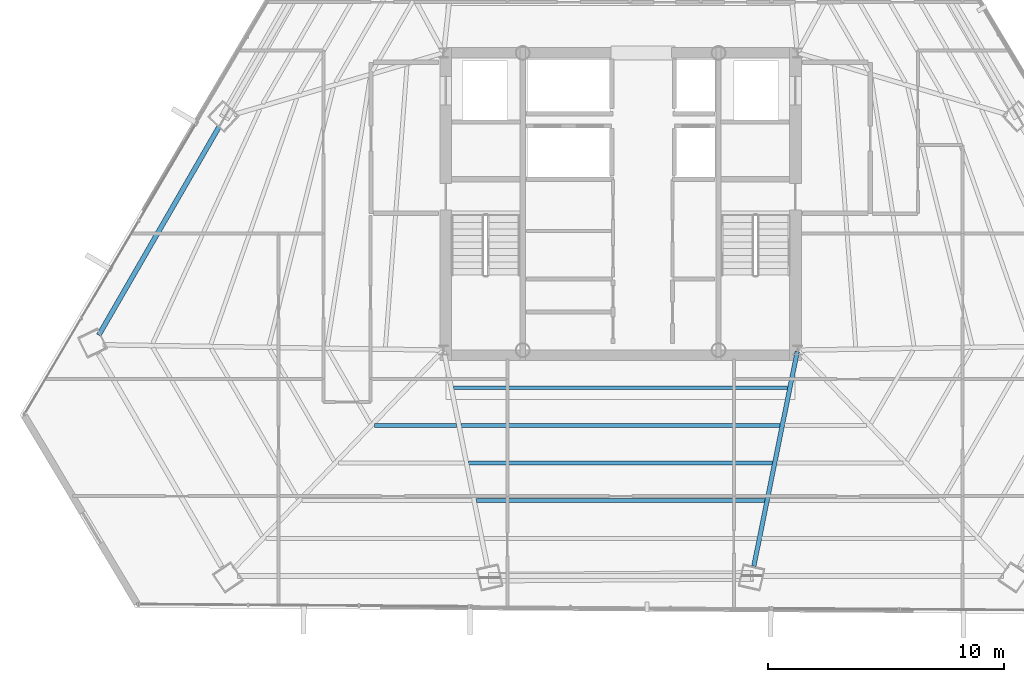
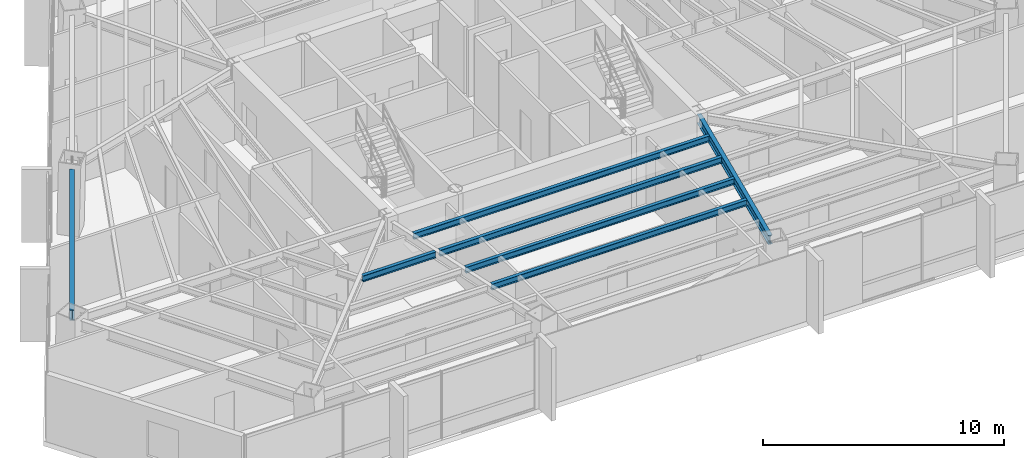
# One storey, part 10 of 40: 7 beams.
"""IFC4 building model written with IfcOpenShell, lengths in metres."""

from ifc_helpers import new_model, si_unit, direction, frame, origin, origin_2d, place, context, subcontext, project, spatial, i_section, extrude, source, transform, mapped, material, material_profile, profile_set, type_object, type_shapes, element, save


model = new_model("IFC4")

# Units and contexts
model_context = context("Model", 3, precision=1e-05, world=origin(), true_north=direction((0.0, 1.0)))
body_context = subcontext(model_context, "Body", "Model", "MODEL_VIEW")
ifc_project = project(units=[si_unit("LENGTHUNIT", "METRE"), si_unit("AREAUNIT", "SQUARE_METRE"), si_unit("VOLUMEUNIT", "CUBIC_METRE"), si_unit("PLANEANGLEUNIT", "RADIAN"), si_unit("MASSUNIT", "GRAM", prefix="KILO")], contexts=[model_context])

# Site, building, storey
site_placement = place(None, origin())
site = spatial("IfcSite", under=ifc_project, at=site_placement, CompositionType="ELEMENT")
building_placement = place(site_placement, origin())
building = spatial("IfcBuilding", under=site, at=building_placement, Name="Caelisora Broadcast Tower", CompositionType="ELEMENT")
storey_placement = place(building_placement, frame((0.0, 0.0, 176.75)))
storey = spatial("IfcBuildingStorey", under=building, at=storey_placement, Name="L46", CompositionType="ELEMENT", Elevation=176.75)

# Beams
ifc_material = material(Name="Steel Grade 350 (AS/NZS 3679.1)", Category="steel")
ifc_material_profile_1 = material_profile(ifc_material, i_section(OverallWidth=0.208984375, OverallDepth=0.532958984375, WebThickness=0.01025390625, FlangeThickness=0.015625, at=origin_2d()), Name="Steel Grade 350 (AS/NZS 3679.1)")
ifc_profile_set_1 = profile_set([ifc_material_profile_1], Name="Steel Grade 350 (AS/NZS 3679.1)")
beam_type_1 = type_object("IfcBeamType", Name="PG05", PredefinedType="BEAM", material=ifc_profile_set_1)
shared_shape_1 = source(origin(), body_context, "Body", "SweptSolid", [
    extrude(i_section(OverallWidth=0.208984375, OverallDepth=0.532958984375, WebThickness=0.01025390625, FlangeThickness=0.015625, at=origin_2d()), origin(), (0.0, 0.0, 1.0), 10.20654296875),
])
type_shapes(beam_type_1, [shared_shape_1])
beam_1_placement = place(storey_placement, frame((20.981689453125, 26.8701171875, 3.133544921875), z_axis=(-0.500000601062, -0.866025056761, 0.0), x_axis=(0.866025056761, -0.500000601062, 0.0)))
element("IfcBeam", 1, at=beam_1_placement, inside=storey, type_object=beam_type_1, Name="L46 beam PG05", PredefinedType="BEAM", context=body_context, shape_type="MappedRepresentation", body=[
    mapped(shared_shape_1, transform((0.0, 0.0, 0.0), scale=1.0)),
])
ifc_material_profile_2 = material_profile(ifc_material, i_section(OverallWidth=0.19091796875, OverallDepth=0.46044921875, WebThickness=0.010009765625, FlangeThickness=0.01611328125, at=origin_2d()), Name="Steel Grade 350 (AS/NZS 3679.1)")
ifc_profile_set_2 = profile_set([ifc_material_profile_2], Name="Steel Grade 350 (AS/NZS 3679.1)")
beam_type_2 = type_object("IfcBeamType", Name="PG06", PredefinedType="BEAM", material=ifc_profile_set_2)
shared_shape_2 = source(origin(), body_context, "Body", "SweptSolid", [
    extrude(i_section(OverallWidth=0.19091796875, OverallDepth=0.46044921875, WebThickness=0.010009765625, FlangeThickness=0.01611328125, at=origin_2d()), origin(), (0.0, 0.0, 1.0), 9.287353515625),
])
type_shapes(beam_type_2, [shared_shape_2])
beam_2_placement = place(storey_placement, frame((45.488037109375, 17.34130859375, 3.169921875), z_axis=(-0.198259095627, -0.980149647248, 0.0), x_axis=(0.980149647248, -0.198259095627, 0.0)))
element("IfcBeam", 2, at=beam_2_placement, inside=storey, type_object=beam_type_2, Name="L46 beam PG06", PredefinedType="BEAM", context=body_context, shape_type="MappedRepresentation", body=[
    mapped(shared_shape_2, transform((0.0, 0.0, 0.0), scale=1.0)),
])
ifc_material_profile_3 = material_profile(ifc_material, i_section(OverallWidth=0.166015625, OverallDepth=0.30712890625, WebThickness=0.006591796875, FlangeThickness=0.01171875, at=origin_2d()), Name="Steel Grade 350 (AS/NZS 3679.1)")
ifc_profile_set_3 = profile_set([ifc_material_profile_3], Name="Steel Grade 350 (AS/NZS 3679.1)")
beam_type_3 = type_object("IfcBeamType", Name="SB03", PredefinedType="JOIST", material=ifc_profile_set_3)
shared_shape_3 = source(origin(), body_context, "Body", "SweptSolid", [
    extrude(i_section(OverallWidth=0.166015625, OverallDepth=0.30712890625, WebThickness=0.006591796875, FlangeThickness=0.01171875, at=origin_2d()), origin(), (0.0, 0.0, 1.0), 3.485107421875),
])
beam_3_placement = place(storey_placement, frame((27.56591796875, 14.208984375, 3.246337890625), z_axis=(1.0, 0.0, 0.0), x_axis=(0.0, 1.0, 0.0)))
element("IfcBeam", 3, at=beam_3_placement, inside=storey, type_object=beam_type_3, Name="L46 beam SB03", PredefinedType="JOIST", context=body_context, shape_type="MappedRepresentation", body=[
    mapped(shared_shape_3, transform((0.0, 0.0, 0.0), scale=1.0)),
])
shared_shape_4 = source(origin(), body_context, "Body", "SweptSolid", [
    extrude(i_section(OverallWidth=0.166015625, OverallDepth=0.30712890625, WebThickness=0.006591796875, FlangeThickness=0.01171875, at=origin_2d()), origin(), (0.0, 0.0, 1.0), 14.16552734375),
])
beam_4_placement = place(storey_placement, frame((30.917236328125, 15.804443359375, 3.246337890625), z_axis=(1.0, 0.0, 0.0), x_axis=(0.0, 1.0, 0.0)))
element("IfcBeam", 4, at=beam_4_placement, inside=storey, type_object=beam_type_3, Name="L46 beam SB03", PredefinedType="JOIST", context=body_context, shape_type="MappedRepresentation", body=[
    mapped(shared_shape_4, transform((0.0, 0.0, 0.0), scale=1.0)),
])
shared_shape_5 = source(origin(), body_context, "Body", "SweptSolid", [
    extrude(i_section(OverallWidth=0.166015625, OverallDepth=0.30712890625, WebThickness=0.006591796875, FlangeThickness=0.01171875, at=origin_2d()), origin(), (0.0, 0.0, 1.0), 13.52001953125),
])
beam_5_placement = place(storey_placement, frame((31.239990234375, 14.208984375, 3.246337890625), z_axis=(1.0, 0.0, 0.0), x_axis=(0.0, 1.0, 0.0)))
element("IfcBeam", 5, at=beam_5_placement, inside=storey, type_object=beam_type_3, Name="L46 beam SB03", PredefinedType="JOIST", context=body_context, shape_type="MappedRepresentation", body=[
    mapped(shared_shape_5, transform((0.0, 0.0, 0.0), scale=1.0)),
])
shared_shape_6 = source(origin(), body_context, "Body", "SweptSolid", [
    extrude(i_section(OverallWidth=0.166015625, OverallDepth=0.30712890625, WebThickness=0.006591796875, FlangeThickness=0.01171875, at=origin_2d()), origin(), (0.0, 0.0, 1.0), 12.87451171875),
])
beam_6_placement = place(storey_placement, frame((31.562744140625, 12.61328125, 3.246337890625), z_axis=(1.0, 0.0, 0.0), x_axis=(0.0, 1.0, 0.0)))
element("IfcBeam", 6, at=beam_6_placement, inside=storey, type_object=beam_type_3, Name="L46 beam SB03", PredefinedType="JOIST", context=body_context, shape_type="MappedRepresentation", body=[
    mapped(shared_shape_6, transform((0.0, 0.0, 0.0), scale=1.0)),
])
shared_shape_7 = source(origin(), body_context, "Body", "SweptSolid", [
    extrude(i_section(OverallWidth=0.166015625, OverallDepth=0.30712890625, WebThickness=0.006591796875, FlangeThickness=0.01171875, at=origin_2d()), origin(), (0.0, 0.0, 1.0), 12.22900390625),
])
type_shapes(beam_type_3, [shared_shape_3, shared_shape_4, shared_shape_5, shared_shape_6, shared_shape_7])
beam_7_placement = place(storey_placement, frame((31.885498046875, 11.017578125, 3.246337890625), z_axis=(1.0, 0.0, 0.0), x_axis=(0.0, 1.0, 0.0)))
element("IfcBeam", 7, at=beam_7_placement, inside=storey, type_object=beam_type_3, Name="L46 beam SB03", PredefinedType="JOIST", context=body_context, shape_type="MappedRepresentation", body=[
    mapped(shared_shape_7, transform((0.0, 0.0, 0.0), scale=1.0)),
])

save(model, "model.ifc")
